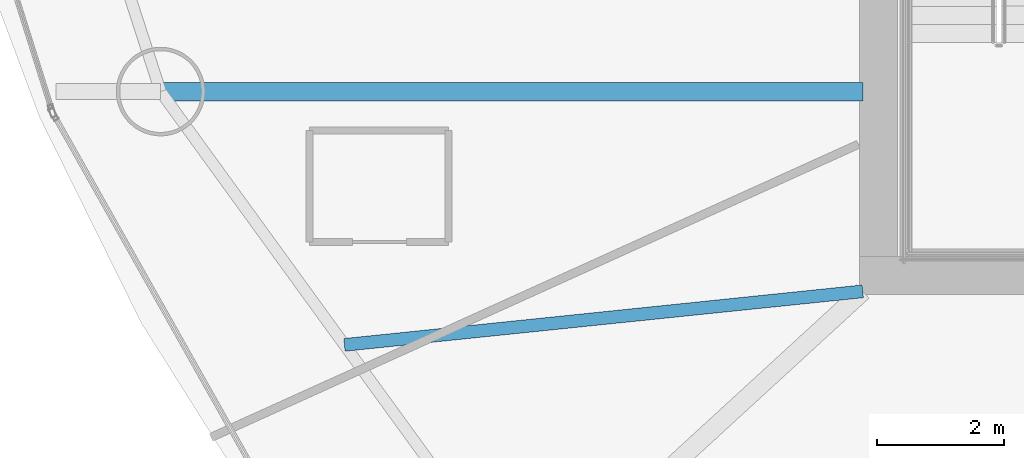
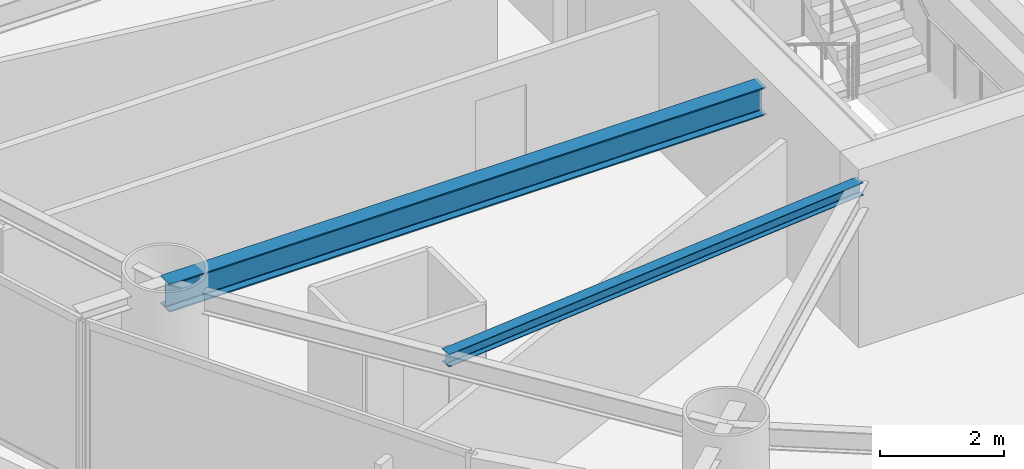
# One storey, part 5 of 22: 2 beams.
"""IFC4 building model written with IfcOpenShell, lengths in metres."""

from ifc_helpers import new_model, si_unit, direction, frame, origin, origin_2d, place, context, subcontext, project, spatial, i_section, extrude, material, material_profile, profile_set, type_object, element, save


model = new_model("IFC4")

# Units and contexts
model_context = context("Model", 3, precision=1e-05, world=origin(), true_north=direction((0.0, 1.0)))
body_context = subcontext(model_context, "Body", "Model", "MODEL_VIEW")
ifc_project = project(units=[si_unit("LENGTHUNIT", "METRE"), si_unit("AREAUNIT", "SQUARE_METRE"), si_unit("VOLUMEUNIT", "CUBIC_METRE"), si_unit("PLANEANGLEUNIT", "RADIAN"), si_unit("MASSUNIT", "GRAM", prefix="KILO")], contexts=[model_context])

# Site, building, storey
site_placement = place(None, origin())
site = spatial("IfcSite", under=ifc_project, at=site_placement, CompositionType="ELEMENT")
building_placement = place(site_placement, origin())
building = spatial("IfcBuilding", under=site, at=building_placement, Name="Bramvorn Convention Spire", CompositionType="ELEMENT")
storey_placement = place(building_placement, frame((0.0, 0.0, 137.800048828125)))
storey = spatial("IfcBuildingStorey", under=building, at=storey_placement, Name="L34", CompositionType="ELEMENT", Elevation=137.800048828125)

# Beams
ifc_material = material(Name="Steel CSA G40.21 Grade 350 (350W)", Category="steel")
ifc_material_profile_1 = material_profile(ifc_material, i_section(OverallWidth=0.201904296875, OverallDepth=0.2470703125, WebThickness=0.00732421875, FlangeThickness=0.010986328125, FilletRadius=0.011962890625, at=origin_2d()))
ifc_profile_set_1 = profile_set([ifc_material_profile_1], Name="Steel CSA G40.21 Grade 350 (350W) - W250X49")
beam_type_1 = type_object("IfcBeamType", Name="BM-W250X49", PredefinedType="JOIST", material=ifc_profile_set_1)
beam_1_placement = place(storey_placement, frame((26.75, 18.550048828125, 3.136474609375), z_axis=(-0.994705076194, -0.102770673804, 0.0), x_axis=(0.102770673804, -0.994705076194, 0.0)))
element("IfcBeam", 1, at=beam_1_placement, inside=storey, type_object=beam_type_1, Name="L34 composite floor joist 11", PredefinedType="JOIST", context=body_context, shape_type="SweptSolid", body=[
    extrude(i_section(OverallWidth=0.201904296875, OverallDepth=0.2470703125, WebThickness=0.00732421875, FlangeThickness=0.010986328125, FilletRadius=0.011962890625, at=origin_2d()), origin(), (0.0, 0.0, 1.0), 8.23388671875),
])
ifc_material_profile_2 = material_profile(ifc_material, i_section(OverallWidth=0.2919921875, OverallDepth=0.551025390625, WebThickness=0.01513671875, FlangeThickness=0.0244140625, FilletRadius=0.01904296875, at=origin_2d()))
ifc_profile_set_2 = profile_set([ifc_material_profile_2], Name="Steel CSA G40.21 Grade 350 (350W) - W530X182")
beam_type_2 = type_object("IfcBeamType", Name="BM-W530X182", PredefinedType="BEAM", material=ifc_profile_set_2)
beam_2_placement = place(storey_placement, frame((26.75, 21.706787109375, 2.984375), z_axis=(-1.0, 0.0, 0.0), x_axis=(0.0, -1.0, 0.0)))
element("IfcBeam", 2, at=beam_2_placement, inside=storey, type_object=beam_type_2, Name="L34 radial floor girder MC11", PredefinedType="BEAM", context=body_context, shape_type="SweptSolid", body=[
    extrude(i_section(OverallWidth=0.2919921875, OverallDepth=0.551025390625, WebThickness=0.01513671875, FlangeThickness=0.0244140625, FilletRadius=0.01904296875, at=origin_2d()), origin(), (0.0, 0.0, 1.0), 11.095703125),
])

save(model, "model.ifc")
